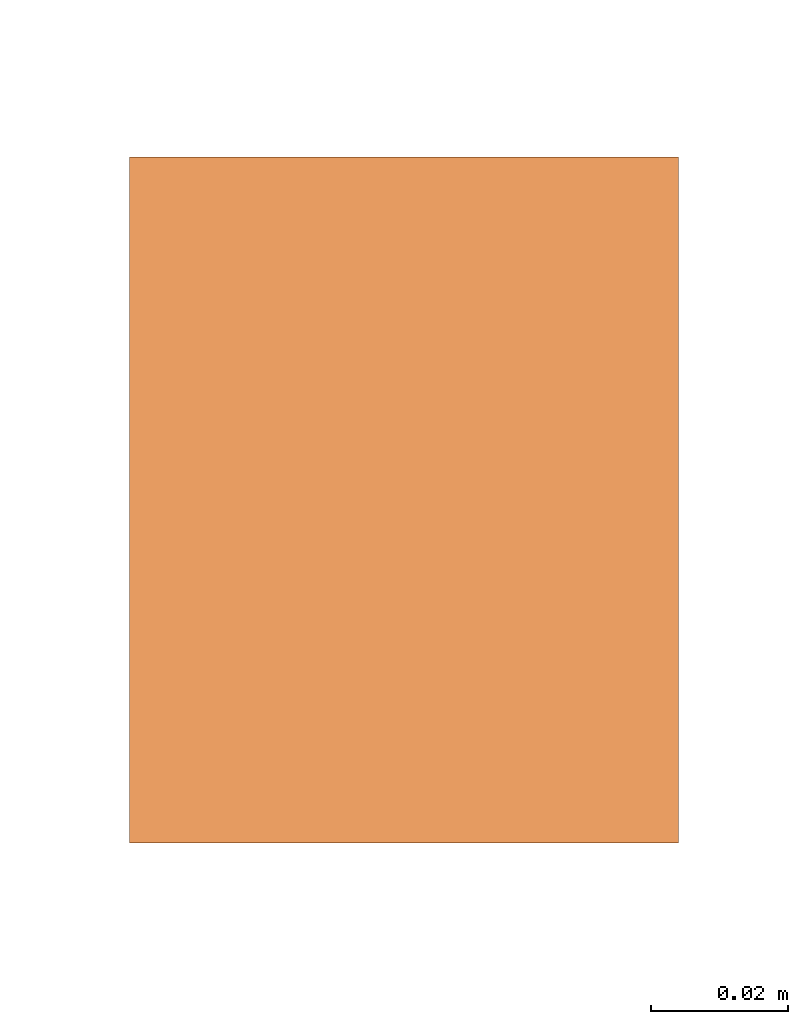
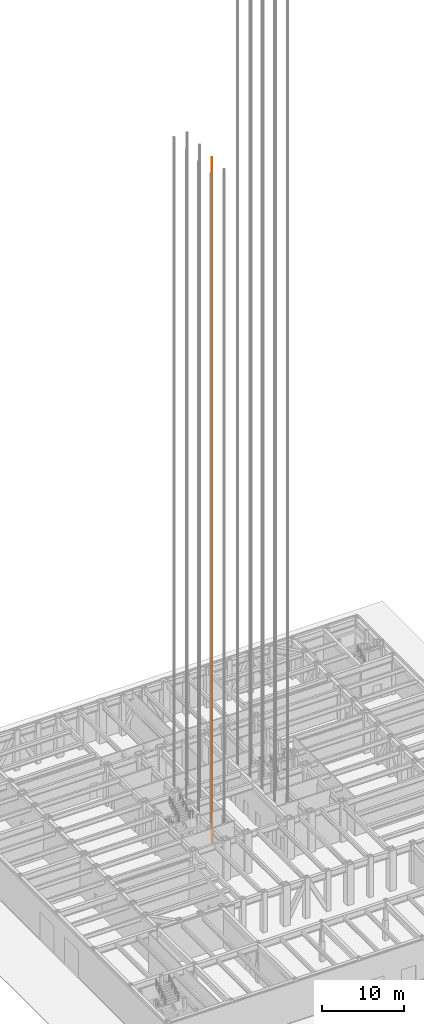
# One storey, part 23 of 35: 1 proxy.
"""IFC4 building model written with IfcOpenShell, lengths in metres."""

from ifc_helpers import new_model, si_unit, direction, frame, origin, origin_2d, place, context, subcontext, project, spatial, rectangle, extrude, material, type_object, element, save


model = new_model("IFC4")

# Units and contexts
model_context = context("Model", 3, precision=1e-05, world=origin(), true_north=direction((0.0, 1.0)))
body_context = subcontext(model_context, "Body", "Model", "MODEL_VIEW")
ifc_project = project(units=[si_unit("LENGTHUNIT", "METRE"), si_unit("AREAUNIT", "SQUARE_METRE"), si_unit("VOLUMEUNIT", "CUBIC_METRE"), si_unit("PLANEANGLEUNIT", "RADIAN"), si_unit("MASSUNIT", "GRAM", prefix="KILO")], contexts=[model_context])

# Site, building, storey
site_placement = place(None, origin())
site = spatial("IfcSite", under=ifc_project, at=site_placement, CompositionType="ELEMENT")
building_placement = place(site_placement, origin())
building = spatial("IfcBuilding", under=site, at=building_placement, Name="Chuquiago Exchange Tower", CompositionType="ELEMENT")
storey_placement = place(building_placement, origin())
storey = spatial("IfcBuildingStorey", under=building, at=storey_placement, Name="L00", CompositionType="ELEMENT", Elevation=0.0)

# Proxy
ifc_material = material(Name="Galvanised steel guide rail", Category="steel")
building_element_proxy_type = type_object("IfcBuildingElementProxyType", Name="LR lift guide rail", PredefinedType="NOTDEFINED", material=ifc_material)
proxy_placement = place(storey_placement, frame((18.93505859375, 19.5, 0.0), z_axis=(0.0, 0.0, 1.0), x_axis=(1.0, 0.0, 0.0)))
element("IfcBuildingElementProxy", 1, at=proxy_placement, inside=storey, type_object=building_element_proxy_type, Name="Lift LA2 guide rail E", PredefinedType="NOTDEFINED", context=body_context, shape_type="SweptSolid", body=[
    extrude(rectangle(XDim=0.080078125, YDim=0.10009765625, at=origin_2d()), origin(), (0.0, 0.0, 1.0), 102.300048828125),
])

save(model, "model.ifc")
